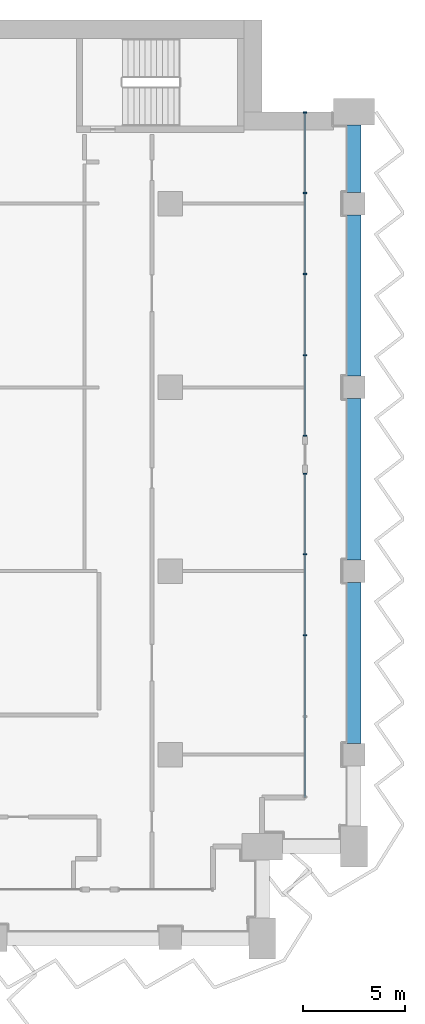
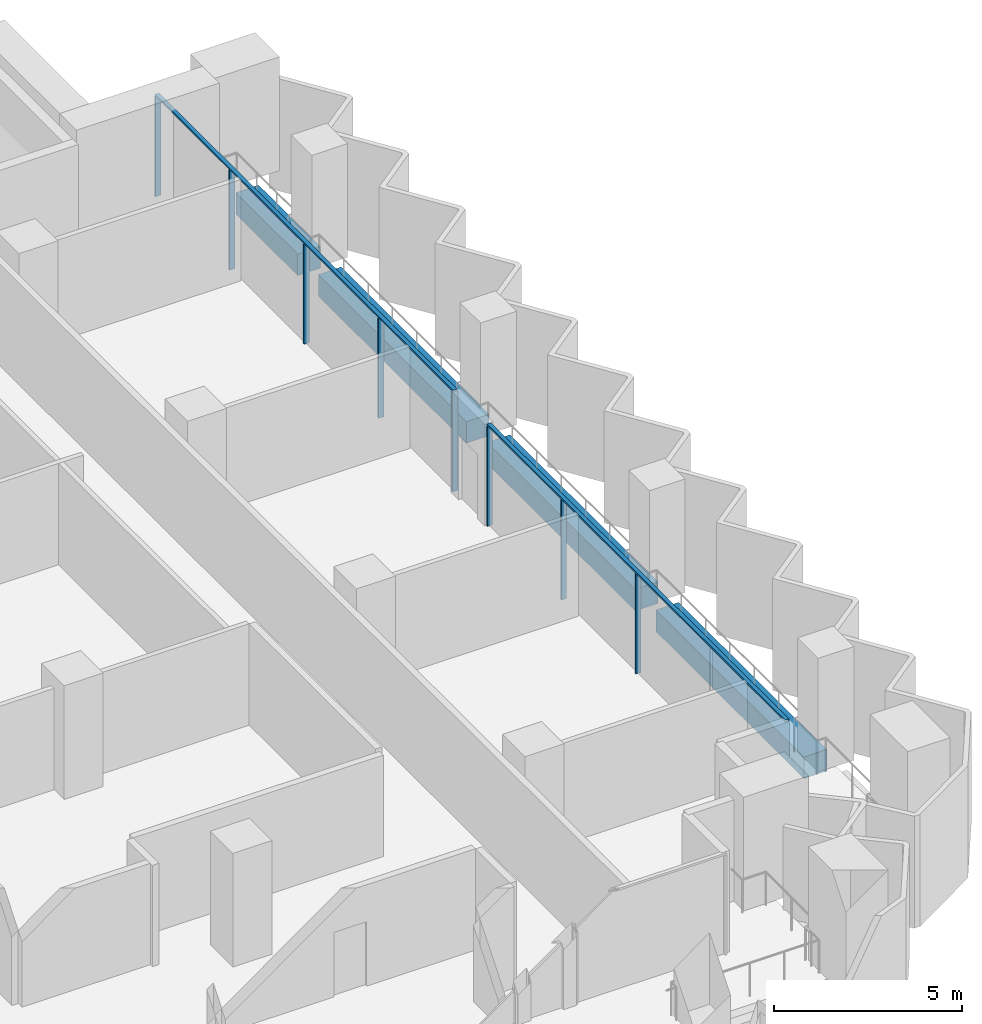
# One storey, part 5 of 22: 10 members, 4 beams, 2 elements without a shape of their own.
"""IFC4 building model written with IfcOpenShell, lengths in metres."""

from ifc_helpers import new_model, si_unit, direction, frame, origin, origin_2d, place, context, subcontext, project, spatial, rectangle, extrude, material, material_profile, profile_set, type_object, element, aggregate, save


model = new_model("IFC4")

# Units and contexts
model_context = context("Model", 3, precision=1e-05, world=origin(), true_north=direction((0.0, 1.0)))
body_context = subcontext(model_context, "Body", "Model", "MODEL_VIEW")
ifc_project = project(units=[si_unit("LENGTHUNIT", "METRE"), si_unit("AREAUNIT", "SQUARE_METRE"), si_unit("VOLUMEUNIT", "CUBIC_METRE"), si_unit("PLANEANGLEUNIT", "RADIAN"), si_unit("MASSUNIT", "GRAM", prefix="KILO")], contexts=[model_context])

# Site, building, storey
site_placement = place(None, origin())
site = spatial("IfcSite", under=ifc_project, at=site_placement, CompositionType="ELEMENT")
building_placement = place(site_placement, origin())
building = spatial("IfcBuilding", under=site, at=building_placement, Name="Hunhe Ridgeline Campus", CompositionType="ELEMENT")
storey_placement = place(building_placement, frame((0.0, 0.0, 163.39990234375)))
storey = spatial("IfcBuildingStorey", under=building, at=storey_placement, Name="L41", CompositionType="ELEMENT", Elevation=163.39990234375)

# Curtain wall, members
ifc_material_1 = material(Name="Aluminium 6063", Category="aluminium")
curtain_wall_type = type_object("IfcCurtainWallType", Name="Curtain wall CW-1", PredefinedType="NOTDEFINED", material=ifc_material_1)
curtain_wall_1_placement = place(storey_placement, origin())
curtain_wall_1 = element("IfcCurtainWall", 1, at=curtain_wall_1_placement, inside=storey, type_object=curtain_wall_type, Name="Curtain wall 15", PredefinedType="NOTDEFINED")
ifc_material_profile_1 = material_profile(ifc_material_1, rectangle(XDim=0.159912109375, YDim=0.06005859375, at=origin_2d()))
ifc_profile_set_1 = profile_set([ifc_material_profile_1], Name="Aluminium 6063")
member_type_1 = type_object("IfcMemberType", Name="CW-1 aluminium mullion", PredefinedType="MULLION", material=ifc_profile_set_1)
member_1_placement = place(storey_placement, frame((60.59912109375, 68.850830078125, 0.0), z_axis=(0.0, 0.0, 1.0), x_axis=(-1.0, 0.0, 0.0)))
member_1 = element("IfcMember", 2, at=member_1_placement, type_object=member_type_1, Name="CW-1 mullion 3", PredefinedType="MULLION", context=body_context, shape_type="SweptSolid", body=[
    extrude(rectangle(XDim=0.159912109375, YDim=0.06005859375, at=origin_2d()), origin(), (0.0, 0.0, 1.0), 3.239990234375),
])
member_2_placement = place(storey_placement, frame((60.59912109375, 72.82568359375, 0.0), z_axis=(0.0, 0.0, 1.0), x_axis=(-1.0, 0.0, 0.0)))
member_2 = element("IfcMember", 3, at=member_2_placement, type_object=member_type_1, Name="CW-1 mullion 4", PredefinedType="MULLION", context=body_context, shape_type="SweptSolid", body=[
    extrude(rectangle(XDim=0.159912109375, YDim=0.06005859375, at=origin_2d()), origin(), (0.0, 0.0, 1.0), 3.239990234375),
])
member_3_placement = place(storey_placement, frame((60.59912109375, 76.7705078125, 0.0), z_axis=(0.0, 0.0, 1.0), x_axis=(-1.0, 0.0, 0.0)))
member_3 = element("IfcMember", 4, at=member_3_placement, type_object=member_type_1, Name="CW-1 mullion 5", PredefinedType="MULLION", context=body_context, shape_type="SweptSolid", body=[
    extrude(rectangle(XDim=0.159912109375, YDim=0.06005859375, at=origin_2d()), origin(), (0.0, 0.0, 1.0), 3.239990234375),
])

curtain_wall_2_placement = place(storey_placement, origin())
curtain_wall_2 = element("IfcCurtainWall", 5, at=curtain_wall_2_placement, inside=storey, type_object=curtain_wall_type, Name="Curtain wall 16", PredefinedType="NOTDEFINED")
member_4_placement = place(storey_placement, frame((60.59912109375, 78.630615234375, 0.0), z_axis=(0.0, 0.0, 1.0), x_axis=(-1.0, 0.0, 0.0)))
member_4 = element("IfcMember", 6, at=member_4_placement, type_object=member_type_1, Name="CW-1 mullion 1", PredefinedType="MULLION", context=body_context, shape_type="SweptSolid", body=[
    extrude(rectangle(XDim=0.159912109375, YDim=0.06005859375, at=origin_2d()), origin(), (0.0, 0.0, 1.0), 3.239990234375),
])
member_5_placement = place(storey_placement, frame((60.59912109375, 82.575439453125, 0.0), z_axis=(0.0, 0.0, 1.0), x_axis=(-1.0, 0.0, 0.0)))
member_5 = element("IfcMember", 7, at=member_5_placement, type_object=member_type_1, Name="CW-1 mullion 2", PredefinedType="MULLION", context=body_context, shape_type="SweptSolid", body=[
    extrude(rectangle(XDim=0.159912109375, YDim=0.06005859375, at=origin_2d()), origin(), (0.0, 0.0, 1.0), 3.239990234375),
])
member_6_placement = place(storey_placement, frame((60.59912109375, 86.55029296875, 0.0), z_axis=(0.0, 0.0, 1.0), x_axis=(-1.0, 0.0, 0.0)))
member_6 = element("IfcMember", 8, at=member_6_placement, type_object=member_type_1, Name="CW-1 mullion 3", PredefinedType="MULLION", context=body_context, shape_type="SweptSolid", body=[
    extrude(rectangle(XDim=0.159912109375, YDim=0.06005859375, at=origin_2d()), origin(), (0.0, 0.0, 1.0), 3.239990234375),
])
member_7_placement = place(storey_placement, frame((60.59912109375, 90.525146484375, 0.0), z_axis=(0.0, 0.0, 1.0), x_axis=(-1.0, 0.0, 0.0)))
member_7 = element("IfcMember", 9, at=member_7_placement, type_object=member_type_1, Name="CW-1 mullion 4", PredefinedType="MULLION", context=body_context, shape_type="SweptSolid", body=[
    extrude(rectangle(XDim=0.159912109375, YDim=0.06005859375, at=origin_2d()), origin(), (0.0, 0.0, 1.0), 3.239990234375),
])
member_8_placement = place(storey_placement, frame((60.59912109375, 94.469970703125, 0.0), z_axis=(0.0, 0.0, 1.0), x_axis=(-1.0, 0.0, 0.0)))
member_8 = element("IfcMember", 10, at=member_8_placement, type_object=member_type_1, Name="CW-1 mullion 5", PredefinedType="MULLION", context=body_context, shape_type="SweptSolid", body=[
    extrude(rectangle(XDim=0.159912109375, YDim=0.06005859375, at=origin_2d()), origin(), (0.0, 0.0, 1.0), 3.239990234375),
])

# Member
ifc_material_profile_2 = material_profile(ifc_material_1, rectangle(XDim=0.1201171875, YDim=0.06005859375, at=origin_2d()))
ifc_profile_set_2 = profile_set([ifc_material_profile_2], Name="Aluminium 6063")
member_type_2 = type_object("IfcMemberType", Name="CW-1 aluminium transom", PredefinedType="USERDEFINED", material=ifc_profile_set_2)
member_9_placement = place(storey_placement, frame((60.59912109375, 60.90087890625, 3.27001953125), z_axis=(0.0, 1.0, 0.0), x_axis=(-1.0, 0.0, 0.0)))
member_9 = element("IfcMember", 11, at=member_9_placement, type_object=member_type_2, Name="CW-1 transom 1", ObjectType="TRANSOM", PredefinedType="USERDEFINED", context=body_context, shape_type="SweptSolid", body=[
    extrude(rectangle(XDim=0.1201171875, YDim=0.06005859375, at=origin_2d()), origin(), (0.0, 0.0, 1.0), 15.899658203125),
])

aggregate(curtain_wall_1, [member_9, member_1, member_2, member_3])

member_10_placement = place(storey_placement, frame((60.59912109375, 78.6005859375, 3.27001953125), z_axis=(0.0, 1.0, 0.0), x_axis=(-1.0, 0.0, 0.0)))
member_10 = element("IfcMember", 12, at=member_10_placement, type_object=member_type_2, Name="CW-1 transom 1", ObjectType="TRANSOM", PredefinedType="USERDEFINED", context=body_context, shape_type="SweptSolid", body=[
    extrude(rectangle(XDim=0.1201171875, YDim=0.06005859375, at=origin_2d()), origin(), (0.0, 0.0, 1.0), 15.8994140625),
])

aggregate(curtain_wall_2, [member_10, member_4, member_5, member_6, member_7, member_8])

# Beams
ifc_material_2 = material(Name="Concrete C60", Category="concrete")
ifc_material_profile_3 = material_profile(ifc_material_2, rectangle(XDim=0.699951171875, YDim=0.699951171875, at=origin_2d()))
ifc_profile_set_3 = profile_set([ifc_material_profile_3], Name="Concrete C60")
beam_type = type_object("IfcBeamType", Name="RC spandrel beam 700x700 Concrete C60", PredefinedType="SPANDREL", material=ifc_profile_set_3)
for number, where, z_axis, x_axis, name in (
    (13, (63.0, 63.550048828125, -0.599853515625), (0.0, 1.0, 0.0), (-1.0, 0.0, 0.0), "Spandrel beam B2-17 L41"),
    (14, (63.0, 72.550048828125, -0.599853515625), (0.0, 1.0, 0.0), (-1.0, 0.0, 0.0), "Spandrel beam B2-18 L41"),
    (15, (63.0, 81.550048828125, -0.599853515625), (0.0, 1.0, 0.0), (-1.0, 0.0, 0.0), "Spandrel beam B2-19 L41"),
):
    element("IfcBeam", number, at=place(storey_placement, frame(where, z_axis=z_axis, x_axis=x_axis)), inside=storey, type_object=beam_type, Name=name, PredefinedType="SPANDREL", context=body_context, shape_type="SweptSolid", body=[
        extrude(rectangle(XDim=0.699951171875, YDim=0.699951171875, at=origin_2d()), origin(), (0.0, 0.0, 1.0), 7.89990234375),
    ])
beam_placement = place(storey_placement, frame((63.0, 90.550048828125, -0.599853515625), z_axis=(0.0, 1.0, 0.0), x_axis=(-1.0, 0.0, 0.0)))
element("IfcBeam", 16, at=beam_placement, inside=storey, type_object=beam_type, Name="Spandrel beam B2-20 L41", PredefinedType="SPANDREL", context=body_context, shape_type="SweptSolid", body=[
    extrude(rectangle(XDim=0.699951171875, YDim=0.699951171875, at=origin_2d()), origin(), (0.0, 0.0, 1.0), 3.300048828125),
])

save(model, "model.ifc")
